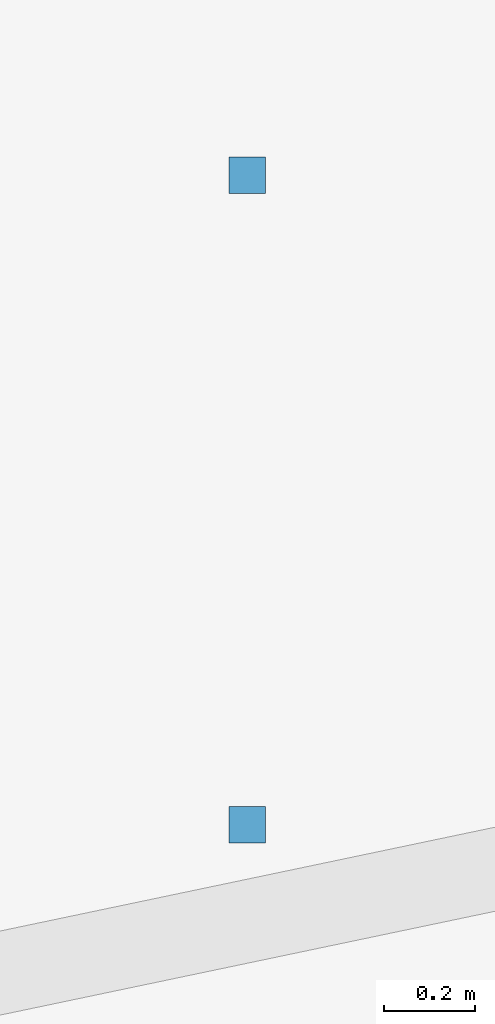
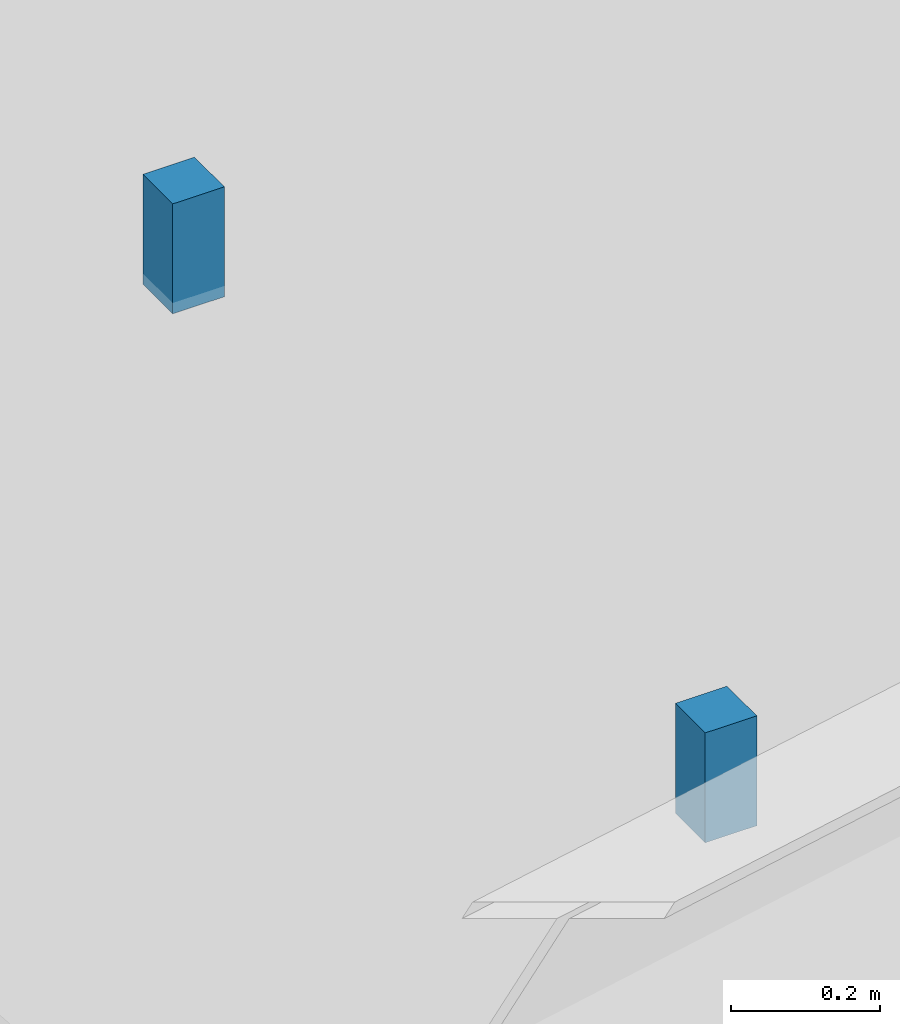
# One storey, part 12 of 19: 2 discrete accessories.
"""IFC4 building model written with IfcOpenShell, lengths in metres."""

import ifcopenshell
import ifcopenshell.guid

model = None  # the IFC model being written
_history = None  # IfcOwnerHistory: only IFC2X3 demands one
_inside = {}  # id of a spatial element -> (the spatial element, [elements in it])
_under = {}  # id of a project, library or spatial element -> (it, [spatial elements below it])
_declared = {}  # id of a project -> (the project, [libraries it declares])
_typed = {}  # id of a type object -> (the type object, [elements of that type])
_made_of = {}  # id of a material, layer set ... -> (it, [elements and type objects made of it])


def new_model(schema):
    """Start an empty IFC model of exactly this schema.

    Asked for "IFC4X3", IfcOpenShell would pick the latest addendum, in which some entities
    have other attributes; the version numbers below select the first issue.
    IFC2X3 requires an IfcOwnerHistory on every rooted entity: one is made here for all.
    """
    global model, _history
    if schema == "IFC4X3":
        model = ifcopenshell.file(schema_version=(4, 3, 0, 0))
    else:
        model = ifcopenshell.file(schema=schema)
    _inside.clear()
    _under.clear()
    _declared.clear()
    _typed.clear()
    _made_of.clear()
    _history = None
    if model.schema == "IFC2X3":
        org = make("IfcOrganization", Name="unknown")
        user = make(
            "IfcPersonAndOrganization",
            ThePerson=make("IfcPerson", FamilyName="unknown"),
            TheOrganization=org,
        )
        app = make(
            "IfcApplication",
            ApplicationDeveloper=org,
            Version="unknown",
            ApplicationFullName="unknown",
            ApplicationIdentifier="unknown",
        )
        _history = make(
            "IfcOwnerHistory",
            OwningUser=user,
            OwningApplication=app,
            ChangeAction="ADDED",
            CreationDate=0,
        )
    return model


def make(cls, **values):
    """One entity of the class cls with the attributes given. An attribute that is None is left unset."""
    return model.create_entity(
        cls, **{name: value for name, value in values.items() if value is not None}
    )


def rooted(cls, **values):
    """An entity with a GlobalId (a new one), such as an element, a storey or a relation."""
    return make(cls, GlobalId=ifcopenshell.guid.new(), OwnerHistory=_history, **values)


def si_unit(unit_type, name, prefix=None):
    """IfcSIUnit, for example si_unit("LENGTHUNIT", "METRE", prefix="MILLI")."""
    return make("IfcSIUnit", UnitType=unit_type, Prefix=prefix, Name=name)


def assignment(units):
    """IfcUnitAssignment: the units of a project."""
    return None if units is None else make("IfcUnitAssignment", Units=units)


def point(xyz):
    """IfcCartesianPoint."""
    return None if xyz is None else make("IfcCartesianPoint", Coordinates=xyz)


def direction(xyz):
    """IfcDirection."""
    return None if xyz is None else make("IfcDirection", DirectionRatios=xyz)


def frame(location, z_axis=None, x_axis=None):
    """IfcAxis2Placement3D, a coordinate frame: its origin and axes. An axis left out is left unset."""
    return make(
        "IfcAxis2Placement3D",
        Location=point(location),
        Axis=direction(z_axis),
        RefDirection=direction(x_axis),
    )


def frame_2d(location, x_axis=None):
    """IfcAxis2Placement2D, a coordinate frame in the plane: its origin and x axis."""
    return make(
        "IfcAxis2Placement2D", Location=point(location), RefDirection=direction(x_axis)
    )


def origin():
    """The frame at (0, 0, 0) with its axes left unset."""
    return frame((0.0, 0.0, 0.0))


def origin_2d():
    """The frame at (0, 0) in the plane with its x axis left unset."""
    return frame_2d((0.0, 0.0))


def place(relative_to, where):
    """IfcLocalPlacement: puts the frame where relative to a parent placement (None: the world)."""
    return make(
        "IfcLocalPlacement", PlacementRelTo=relative_to, RelativePlacement=where
    )


def context(
    kind, dimensions, precision=None, world=None, true_north=None, identifier=None
):
    """IfcGeometricRepresentationContext, for example the 3D "Model" context."""
    return make(
        "IfcGeometricRepresentationContext",
        ContextIdentifier=identifier,
        ContextType=kind,
        CoordinateSpaceDimension=dimensions,
        Precision=precision,
        WorldCoordinateSystem=world,
        TrueNorth=true_north,
    )


def subcontext(parent, identifier, kind, view, scale=None):
    """IfcGeometricRepresentationSubContext, for example "Body" below "Model"."""
    return make(
        "IfcGeometricRepresentationSubContext",
        ContextIdentifier=identifier,
        ContextType=kind,
        ParentContext=parent,
        TargetScale=scale,
        TargetView=view,
    )


def project(units=None, contexts=None):
    """IfcProject with its units and contexts."""
    return rooted(
        "IfcProject",
        Name="project",
        RepresentationContexts=contexts,
        UnitsInContext=assignment(units),
    )


def spatial(cls, under=None, at=None, **own):
    """A site, building, storey or space (cls), placed at a placement, below another one or the project."""
    s = rooted(cls, ObjectPlacement=at, **own)
    if under is not None:
        _under.setdefault(under.id(), (under, []))[1].append(s)
    return s


def profile(cls, at=None, kind="AREA", **sizes):
    """A parametric profile (cls). Its sizes go by their IFC names, for example OverallWidth=200.0."""
    return make(cls, ProfileType=kind, Position=at, **sizes)


def rectangle(**sizes):
    """IfcRectangleProfileDef."""
    return profile("IfcRectangleProfileDef", **sizes)


def extrude(swept, where, along, depth):
    """IfcExtrudedAreaSolid: the profile swept, set in the frame where, extruded along a direction by depth."""
    return make(
        "IfcExtrudedAreaSolid",
        SweptArea=swept,
        Position=where,
        ExtrudedDirection=direction(along),
        Depth=depth,
    )


def shape(context_of_items, identifier, shape_type, items):
    """IfcShapeRepresentation: the items that make up one representation, for example the "Body"."""
    return make(
        "IfcShapeRepresentation",
        ContextOfItems=context_of_items,
        RepresentationIdentifier=identifier,
        RepresentationType=shape_type,
        Items=items,
    )


def material(Name=None, Category=None):
    """IfcMaterial."""
    return make("IfcMaterial", Name=Name, Category=Category)


def made_of(thing, what):
    """Note that an element or type object is made of a material, layer set ...; save() writes the relation."""
    if what is not None:
        _made_of.setdefault(what.id(), (what, []))[1].append(thing)
    return thing


def type_object(cls, material=None, **own):
    """A type object (cls), such as IfcWallType, which elements share."""
    return made_of(rooted(cls, **own), material)


def element(
    cls,
    number,
    at=None,
    inside=None,
    cuts=None,
    type_object=None,
    material=None,
    context=None,
    identifier="Body",
    shape_type=None,
    held_by="IfcProductDefinitionShape",
    body=None,
    shapes=None,
    **own,
):
    """One element of the class cls, such as IfcWall. Its Tag is "e" and its number.

    at: its placement. inside: the storey or other place that contains it. cuts: it is an
    opening in that element (IfcRelVoidsElement). A single representation is given by context,
    identifier, shape_type and body (its items); several are given by shapes. held_by: the class
    of the entity that holds the representations. save() writes the other relations.
    """
    e = rooted(cls, Tag="e%d" % number, ObjectPlacement=at, **own)
    if body is not None:
        shapes = [shape(context, identifier, shape_type, body)]
    if shapes is not None:
        e.Representation = make(held_by, Representations=shapes)
    if inside is not None:
        _inside.setdefault(inside.id(), (inside, []))[1].append(e)
    if cuts is not None:
        rooted(
            "IfcRelVoidsElement", RelatingBuildingElement=cuts, RelatedOpeningElement=e
        )
    if type_object is not None:
        _typed.setdefault(type_object.id(), (type_object, []))[1].append(e)
    return made_of(e, material)


def aggregate(whole, parts):
    """IfcRelAggregates: a whole, such as a stair, and the parts it consists of."""
    return rooted("IfcRelAggregates", RelatingObject=whole, RelatedObjects=parts)


def save(model, path):
    """Write the relations noted so far, then the file.

    IfcRelAggregates (storeys below a building ...), IfcRelContainedInSpatialStructure (elements
    in a storey), IfcRelDefinesByType, IfcRelAssociatesMaterial and IfcRelDeclares: one each for
    every whole, place, type object, material and project.
    """
    for whole, parts in _under.values():
        aggregate(whole, parts)
    for where, things in _inside.values():
        rooted(
            "IfcRelContainedInSpatialStructure",
            RelatedElements=things,
            RelatingStructure=where,
        )
    for kind, things in _typed.values():
        rooted("IfcRelDefinesByType", RelatedObjects=things, RelatingType=kind)
    for what, things in _made_of.values():
        rooted("IfcRelAssociatesMaterial", RelatedObjects=things, RelatingMaterial=what)
    for by, libraries in _declared.values():
        rooted("IfcRelDeclares", RelatingContext=by, RelatedDefinitions=libraries)
    model.write(path)


model = new_model("IFC4")

# Units and contexts
model_context = context("Model", 3, precision=1e-05, world=origin(), true_north=direction((0.0, 1.0)))
body_context = subcontext(model_context, "Body", "Model", "MODEL_VIEW")
ifc_project = project(units=[si_unit("LENGTHUNIT", "METRE"), si_unit("AREAUNIT", "SQUARE_METRE"), si_unit("VOLUMEUNIT", "CUBIC_METRE"), si_unit("PLANEANGLEUNIT", "RADIAN"), si_unit("MASSUNIT", "GRAM", prefix="KILO")], contexts=[model_context])

# Site, building, storey
site_placement = place(None, origin())
site = spatial("IfcSite", under=ifc_project, at=site_placement, CompositionType="ELEMENT")
building_placement = place(site_placement, origin())
building = spatial("IfcBuilding", under=site, at=building_placement, Name="Kolvaren Gate Tower and Convention Centre", CompositionType="ELEMENT")
storey_placement = place(building_placement, frame((0.0, 0.0, 212.89990234375)))
storey = spatial("IfcBuildingStorey", under=building, at=storey_placement, Name="L56", CompositionType="ELEMENT", Elevation=212.89990234375)

# Discrete accessories
ifc_material = material(Name="Brushed Stainless Steel Grade 316L", Category="steel")
discrete_accessory_type = type_object("IfcDiscreteAccessoryType", Name="ARCH-ACC-HANGER-80", PredefinedType="BRACKET", material=ifc_material)
for number, where, z_axis, x_axis, name in (
    (1, (33.221923828125, 8.912109375, 2.85009765625), (0.0, 0.0, 1.0), (1.0, 0.0, 0.0), "Apartment Bedroom (APT-L56-01) Ceiling Suspension Hanger Clip 1"),
    (2, (33.221923828125, 10.340087890625, 2.85009765625), (0.0, 0.0, 1.0), (1.0, 0.0, 0.0), "Apartment Bedroom (APT-L56-01) Ceiling Suspension Hanger Clip 3"),
):
    element("IfcDiscreteAccessory", number, at=place(storey_placement, frame(where, z_axis=z_axis, x_axis=x_axis)), inside=storey, type_object=discrete_accessory_type, Name=name, PredefinedType="BRACKET", context=body_context, shape_type="SweptSolid", body=[
        extrude(rectangle(XDim=0.080078125, YDim=0.080078125, at=origin_2d()), origin(), (0.0, 0.0, 1.0), 0.179931640625),
    ])

save(model, "model.ifc")
